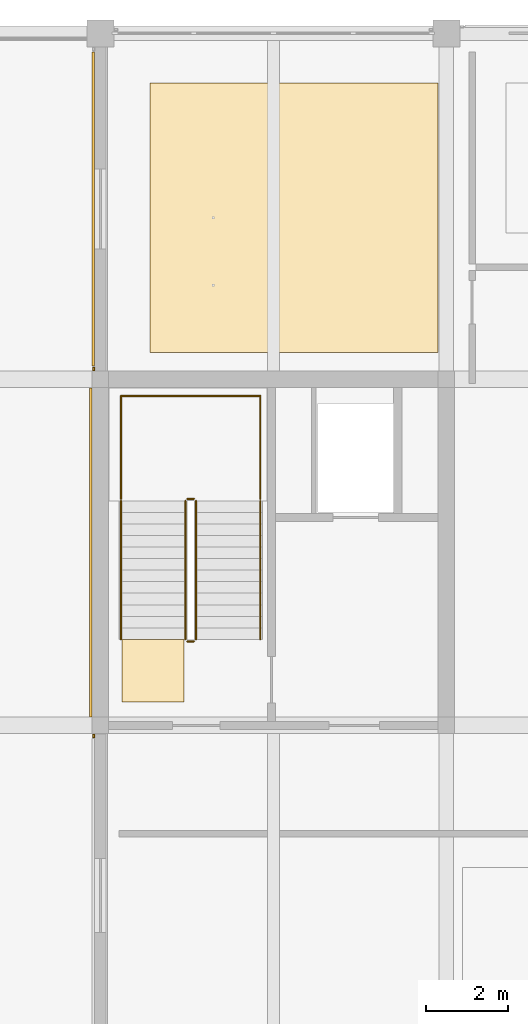
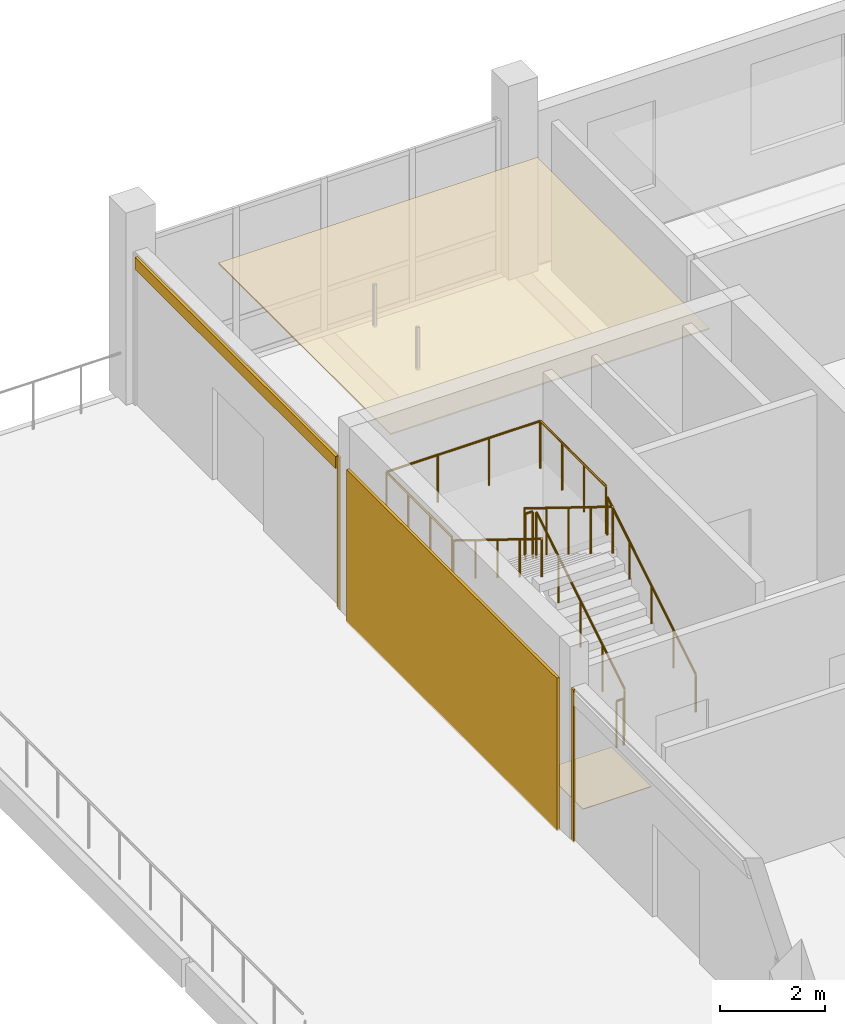
# One storey, part 20 of 28: 7 railings, 6 coverings.
"""IFC4 building model written with IfcOpenShell, lengths in metres."""

from ifc_helpers import new_model, si_unit, direction, frame, origin, origin_2d, place, context, subcontext, project, spatial, polyline, rectangle, circle, outline, extrude, material, layer, layer_set, type_object, element, save


model = new_model("IFC4")

# Units and contexts
model_context = context("Model", 3, precision=1e-05, world=origin(), true_north=direction((0.0, 1.0)))
body_context = subcontext(model_context, "Body", "Model", "MODEL_VIEW")
ifc_project = project(units=[si_unit("LENGTHUNIT", "METRE"), si_unit("AREAUNIT", "SQUARE_METRE"), si_unit("VOLUMEUNIT", "CUBIC_METRE"), si_unit("PLANEANGLEUNIT", "RADIAN"), si_unit("MASSUNIT", "GRAM", prefix="KILO")], contexts=[model_context])

# Site, building, storey
site_placement = place(None, origin())
site = spatial("IfcSite", under=ifc_project, at=site_placement, CompositionType="ELEMENT")
building_placement = place(site_placement, origin())
building = spatial("IfcBuilding", under=site, at=building_placement, Name="Telukmera Botanical Conservatory", CompositionType="ELEMENT")
storey_placement = place(building_placement, frame((0.0, 0.0, 51.0)))
storey = spatial("IfcBuildingStorey", under=building, at=storey_placement, Name="L11", CompositionType="ELEMENT", Elevation=51.0)

# Coverings
ifc_material_1 = material(Name="Mineral fibre acoustic ceiling")
ifc_layer_1 = layer(ifc_material_1, 0.030029296875)
ifc_layer_set_1 = layer_set([ifc_layer_1], Name="Mineral fibre acoustic ceiling")
covering_type_1 = type_object("IfcCoveringType", Name="COV-CEIL-30", PredefinedType="CEILING", material=ifc_layer_set_1)
covering_1_placement = place(storey_placement, frame((0.0, 0.0, 3.320068359375)))
element("IfcCovering", 1, at=covering_1_placement, inside=storey, type_object=covering_type_1, Name="L11 Chromatography Mass Spectrometry Room Suspended Acoustic Ceiling", PredefinedType="CEILING", context=body_context, shape_type="SweptSolid", body=[
    extrude(outline(polyline([(60.0, 35.050048828125), (67.0, 35.050048828125), (67.0, 41.60009765625), (60.0, 41.60009765625), (60.0, 35.050048828125)])), origin(), (0.0, 0.0, 1.0), 0.030029296875),
])
ifc_material_2 = material(Name="Honed granite non-slip flooring", Category="masonry")
ifc_layer_2 = layer(ifc_material_2, 0.011962890625)
ifc_layer_set_2 = layer_set([ifc_layer_2], Name="Honed granite non-slip flooring")
covering_type_2 = type_object("IfcCoveringType", Name="COV-FLR-12", PredefinedType="FLOORING", material=ifc_layer_set_2)
covering_2_placement = place(storey_placement, origin())
element("IfcCovering", 2, at=covering_2_placement, inside=storey, type_object=covering_type_2, Name="L11 ST1 Non-Slip Stair Landing Finish", PredefinedType="FLOORING", context=body_context, shape_type="SweptSolid", body=[
    extrude(outline(polyline([(60.830078125, 26.570068359375), (60.830078125, 28.0849609375), (59.330078125, 28.0849609375), (59.330078125, 26.570068359375), (60.830078125, 26.570068359375)])), origin(), (0.0, 0.0, 1.0), 0.011962890625),
])
ifc_material_3 = material(Name="Granite-faced precast concrete C40/50", Category="masonry")
ifc_layer_3 = layer(ifc_material_3, 0.0400390625)
ifc_layer_set_3 = layer_set([ifc_layer_3], Name="Granite-faced precast concrete C40/50")
covering_type_3 = type_object("IfcCoveringType", Name="Granite Precast Column Pier Reveal Casing", PredefinedType="CLADDING", material=ifc_layer_set_3)
for number, where, z_axis, x_axis, name in (
    (3, (58.639892578125, 25.748046875, 0.0), (0.0, 0.0, 1.0), (0.0, 1.0, 0.0), "Granite Pier Reveal V4:L11:W2 R"),
    (4, (58.639892578125, 34.652099609375, 0.0), (0.0, 0.0, 1.0), (0.0, 1.0, 0.0), "Granite Pier Reveal V4:L11:W4 L"),
):
    element("IfcCovering", number, at=place(storey_placement, frame(where, z_axis=z_axis, x_axis=x_axis)), inside=storey, type_object=covering_type_3, Name=name, PredefinedType="CLADDING", context=body_context, shape_type="SweptSolid", body=[
        extrude(rectangle(XDim=0.080078125, YDim=0.0400390625, at=origin_2d()), origin(), (0.0, 0.0, 1.0), 3.550048828125),
    ])
ifc_material_4 = material(Name="Terracotta-faced precast concrete C40/50", Category="masonry")
ifc_layer_4 = layer(ifc_material_4, 0.06005859375)
ifc_layer_set_4 = layer_set([ifc_layer_4], Name="Terracotta-faced precast concrete C40/50")
covering_type_4 = type_object("IfcCoveringType", Name="Polychrome Terracotta Facade Band Cladding", PredefinedType="CLADDING", material=ifc_layer_set_4)
covering_3_placement = place(storey_placement, frame((58.6298828125, 38.53759765625, 3.22998046875), z_axis=(0.0, 0.0, 1.0), x_axis=(0.0, 1.0, 0.0)))
element("IfcCovering", 5, at=covering_3_placement, inside=storey, type_object=covering_type_4, Name="Polychrome Terracotta Band V4:L11:W4", PredefinedType="CLADDING", context=body_context, shape_type="SweptSolid", body=[
    extrude(rectangle(XDim=7.631103515625, YDim=0.06005859375, at=origin_2d()), origin(), (0.0, 0.0, 1.0), 0.280029296875),
])

# Railings
ifc_material_5 = material(Name="Steel S355", Category="steel")
railing_type_1 = type_object("IfcRailingType", Name="RL-GUARD-1100", PredefinedType="GUARDRAIL", material=ifc_material_5)
railing_1_placement = place(storey_placement, frame((61.1201171875, 28.090087890625, 0.173095703125)))
element("IfcRailing", 6, at=railing_1_placement, inside=storey, type_object=railing_type_1, Name="L11 ST1 stair guard 1", PredefinedType="GUARDRAIL", context=body_context, shape_type="SweptSolid", body=[
    extrude(circle(Radius=0.02392578125, at=origin_2d()), frame((0.0, 0.0, 1.076171875), z_axis=(0.0, 0.850606129759, 0.525803396734), x_axis=(-1.0, 0.0, 0.0)), (0.0, 0.0, 1.0), 3.949951171875),
    extrude(circle(Radius=0.02099609375, at=origin_2d()), origin(), (0.0, 0.0, 1.0), 1.052001953125),
    extrude(circle(Radius=0.02099609375, at=origin_2d()), frame((0.0, 0.83984375, 0.519287109375)), (0.0, 0.0, 1.0), 1.052001953125),
    extrude(circle(Radius=0.02099609375, at=origin_2d()), frame((0.0, 1.679931640625, 1.03857421875)), (0.0, 0.0, 1.0), 1.052001953125),
    extrude(circle(Radius=0.02099609375, at=origin_2d()), frame((0.0, 2.52001953125, 1.5576171875)), (0.0, 0.0, 1.0), 1.052001953125),
    extrude(circle(Radius=0.02099609375, at=origin_2d()), frame((0.0, 3.35986328125, 2.076904296875)), (0.0, 0.0, 1.0), 1.052001953125),
])
railing_2_placement = place(storey_placement, frame((61.070068359375, 31.5, 2.25)))
element("IfcRailing", 7, at=railing_2_placement, inside=storey, type_object=railing_type_1, Name="L11 ST1 stair guard 2", PredefinedType="GUARDRAIL", context=body_context, shape_type="SweptSolid", body=[
    extrude(circle(Radius=0.02392578125, at=origin_2d()), frame((0.0, 0.0, 1.076171875), z_axis=(-1.0, 0.0, 0.0), x_axis=(0.0, -1.0, 0.0)), (0.0, 0.0, 1.0), 0.16015625),
    extrude(circle(Radius=0.02099609375, at=origin_2d()), origin(), (0.0, 0.0, 1.0), 1.052001953125),
    extrude(circle(Radius=0.02099609375, at=origin_2d()), frame((-0.16015625, 0.0, 0.0)), (0.0, 0.0, 1.0), 1.052001953125),
])
railing_3_placement = place(storey_placement, frame((60.860107421875, 31.449951171875, 2.423095703125)))
element("IfcRailing", 8, at=railing_3_placement, inside=storey, type_object=railing_type_1, Name="L11 ST1 stair guard 3", PredefinedType="GUARDRAIL", context=body_context, shape_type="SweptSolid", body=[
    extrude(circle(Radius=0.02392578125, at=origin_2d()), frame((0.0, 0.0, 1.076171875), z_axis=(0.0, -0.850606129759, 0.525803396734), x_axis=(1.0, 0.0, 0.0)), (0.0, 0.0, 1.0), 3.949951171875),
    extrude(circle(Radius=0.02099609375, at=origin_2d()), origin(), (0.0, 0.0, 1.0), 1.052001953125),
    extrude(circle(Radius=0.02099609375, at=origin_2d()), frame((0.0, -0.83984375, 0.519287109375)), (0.0, 0.0, 1.0), 1.052001953125),
    extrude(circle(Radius=0.02099609375, at=origin_2d()), frame((0.0, -1.679931640625, 1.03857421875)), (0.0, 0.0, 1.0), 1.052001953125),
    extrude(circle(Radius=0.02099609375, at=origin_2d()), frame((0.0, -2.52001953125, 1.5576171875)), (0.0, 0.0, 1.0), 1.052001953125),
    extrude(circle(Radius=0.02099609375, at=origin_2d()), frame((0.0, -3.35986328125, 2.076904296875)), (0.0, 0.0, 1.0), 1.052001953125),
])
railing_4_placement = place(storey_placement, frame((61.070068359375, 28.0400390625, 0.0)))
element("IfcRailing", 9, at=railing_4_placement, inside=storey, type_object=railing_type_1, Name="L11 ST1 stair guard 4", PredefinedType="GUARDRAIL", context=body_context, shape_type="SweptSolid", body=[
    extrude(circle(Radius=0.02392578125, at=origin_2d()), frame((0.0, 0.0, 1.076171875), z_axis=(-1.0, 0.0, 0.0), x_axis=(0.0, -1.0, 0.0)), (0.0, 0.0, 1.0), 0.16015625),
    extrude(circle(Radius=0.02099609375, at=origin_2d()), origin(), (0.0, 0.0, 1.0), 1.052001953125),
    extrude(circle(Radius=0.02099609375, at=origin_2d()), frame((-0.16015625, 0.0, 0.0)), (0.0, 0.0, 1.0), 1.052001953125),
])
railing_5_placement = place(storey_placement, frame((62.679931640625, 31.5, 2.25)))
element("IfcRailing", 10, at=railing_5_placement, inside=storey, type_object=railing_type_1, Name="L11 ST1 half-landing perimeter guard 1", PredefinedType="GUARDRAIL", context=body_context, shape_type="SweptSolid", body=[
    extrude(circle(Radius=0.02392578125, at=origin_2d()), frame((0.0, 0.0, 1.09619140625), z_axis=(0.0, 1.0, 0.0), x_axis=(-1.0, 0.0, 0.0)), (0.0, 0.0, 1.0), 2.5),
    extrude(circle(Radius=0.02392578125, at=origin_2d()), frame((0.0, 2.5, 1.09619140625), z_axis=(-1.0, 0.0, 0.0), x_axis=(0.0, -1.0, 0.0)), (0.0, 0.0, 1.0), 3.3798828125),
    extrude(circle(Radius=0.02392578125, at=origin_2d()), frame((-3.3798828125, 2.5, 1.09619140625), z_axis=(0.0, -1.0, 0.0), x_axis=(1.0, 0.0, 0.0)), (0.0, 0.0, 1.0), 2.5),
    extrude(circle(Radius=0.02099609375, at=origin_2d()), origin(), (0.0, 0.0, 1.0), 1.072021484375),
    extrude(circle(Radius=0.02099609375, at=origin_2d()), frame((0.0, 0.833251953125, 0.0)), (0.0, 0.0, 1.0), 1.072021484375),
    extrude(circle(Radius=0.02099609375, at=origin_2d()), frame((0.0, 1.666748046875, 0.0)), (0.0, 0.0, 1.0), 1.072021484375),
    extrude(circle(Radius=0.02099609375, at=origin_2d()), frame((0.0, 2.5, 0.0)), (0.0, 0.0, 1.0), 1.072021484375),
    extrude(circle(Radius=0.02099609375, at=origin_2d()), frame((-1.126708984375, 2.5, 0.0)), (0.0, 0.0, 1.0), 1.072021484375),
    extrude(circle(Radius=0.02099609375, at=origin_2d()), frame((-2.253173828125, 2.5, 0.0)), (0.0, 0.0, 1.0), 1.072021484375),
    extrude(circle(Radius=0.02099609375, at=origin_2d()), frame((-3.3798828125, 2.5, 0.0)), (0.0, 0.0, 1.0), 1.072021484375),
    extrude(circle(Radius=0.02099609375, at=origin_2d()), frame((-3.3798828125, 1.666748046875, 0.0)), (0.0, 0.0, 1.0), 1.072021484375),
    extrude(circle(Radius=0.02099609375, at=origin_2d()), frame((-3.3798828125, 0.833251953125, 0.0)), (0.0, 0.0, 1.0), 1.072021484375),
    extrude(circle(Radius=0.02099609375, at=origin_2d()), frame((-3.3798828125, 0.0, 0.0)), (0.0, 0.0, 1.0), 1.072021484375),
])
ifc_material_6 = material(Name="Stainless steel 316", Category="steel")
railing_type_2 = type_object("IfcRailingType", Name="RL-HAND-900", PredefinedType="HANDRAIL", material=ifc_material_6)
railing_6_placement = place(storey_placement, frame((62.679931640625, 28.090087890625, 0.173095703125)))
element("IfcRailing", 11, at=railing_6_placement, inside=storey, type_object=railing_type_2, Name="L11 ST1 stair handrail 1", PredefinedType="HANDRAIL", context=body_context, shape_type="SweptSolid", body=[
    extrude(circle(Radius=0.02392578125, at=origin_2d()), frame((0.0, 0.0, 0.8759765625), z_axis=(0.0, 0.850606129759, 0.525803396734), x_axis=(-1.0, 0.0, 0.0)), (0.0, 0.0, 1.0), 3.949951171875),
    extrude(circle(Radius=0.02099609375, at=origin_2d()), origin(), (0.0, 0.0, 1.0), 0.851806640625),
    extrude(circle(Radius=0.02099609375, at=origin_2d()), frame((0.0, 0.83984375, 0.519287109375)), (0.0, 0.0, 1.0), 0.851806640625),
    extrude(circle(Radius=0.02099609375, at=origin_2d()), frame((0.0, 1.679931640625, 1.03857421875)), (0.0, 0.0, 1.0), 0.851806640625),
    extrude(circle(Radius=0.02099609375, at=origin_2d()), frame((0.0, 2.52001953125, 1.5576171875)), (0.0, 0.0, 1.0), 0.851806640625),
    extrude(circle(Radius=0.02099609375, at=origin_2d()), frame((0.0, 3.35986328125, 2.076904296875)), (0.0, 0.0, 1.0), 0.851806640625),
])
railing_7_placement = place(storey_placement, frame((59.300048828125, 31.449951171875, 2.423095703125)))
element("IfcRailing", 12, at=railing_7_placement, inside=storey, type_object=railing_type_2, Name="L11 ST1 stair handrail 2", PredefinedType="HANDRAIL", context=body_context, shape_type="SweptSolid", body=[
    extrude(circle(Radius=0.02392578125, at=origin_2d()), frame((0.0, 0.0, 0.8759765625), z_axis=(0.0, -0.850606129759, 0.525803396734), x_axis=(1.0, 0.0, 0.0)), (0.0, 0.0, 1.0), 3.949951171875),
    extrude(circle(Radius=0.02099609375, at=origin_2d()), origin(), (0.0, 0.0, 1.0), 0.851806640625),
    extrude(circle(Radius=0.02099609375, at=origin_2d()), frame((0.0, -0.83984375, 0.519287109375)), (0.0, 0.0, 1.0), 0.851806640625),
    extrude(circle(Radius=0.02099609375, at=origin_2d()), frame((0.0, -1.679931640625, 1.03857421875)), (0.0, 0.0, 1.0), 0.851806640625),
    extrude(circle(Radius=0.02099609375, at=origin_2d()), frame((0.0, -2.52001953125, 1.5576171875)), (0.0, 0.0, 1.0), 0.851806640625),
    extrude(circle(Radius=0.02099609375, at=origin_2d()), frame((0.0, -3.35986328125, 2.076904296875)), (0.0, 0.0, 1.0), 0.851806640625),
])

# Covering
ifc_layer_5 = layer(ifc_material_4, 0.06005859375)
ifc_layer_set_5 = layer_set([ifc_layer_5], Name="Terracotta-faced precast concrete C40/50")
covering_type_5 = type_object("IfcCoveringType", Name="Terracotta Core Perimeter Cladding Panel", PredefinedType="CLADDING", material=ifc_layer_set_5)
covering_4_placement = place(storey_placement, frame((58.570068359375, 30.199951171875, 0.0), z_axis=(0.0, 0.0, 1.0), x_axis=(0.0, 1.0, 0.0)))
element("IfcCovering", 13, at=covering_4_placement, inside=storey, type_object=covering_type_5, Name="Core Perimeter Terracotta Cladding V4:L11:W3", PredefinedType="CLADDING", context=body_context, shape_type="SweptSolid", body=[
    extrude(rectangle(XDim=7.99609375, YDim=0.06005859375, at=origin_2d()), origin(), (0.0, 0.0, 1.0), 3.550048828125),
])

save(model, "model.ifc")
